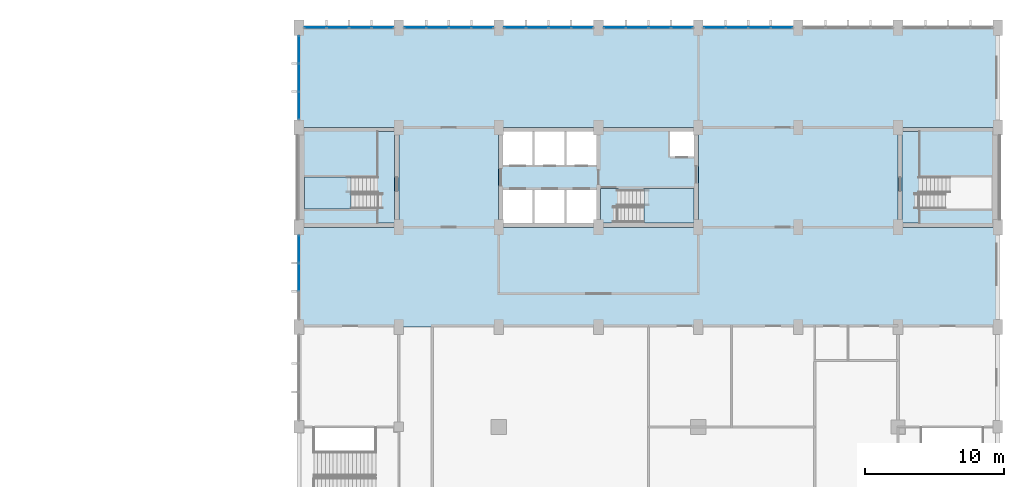
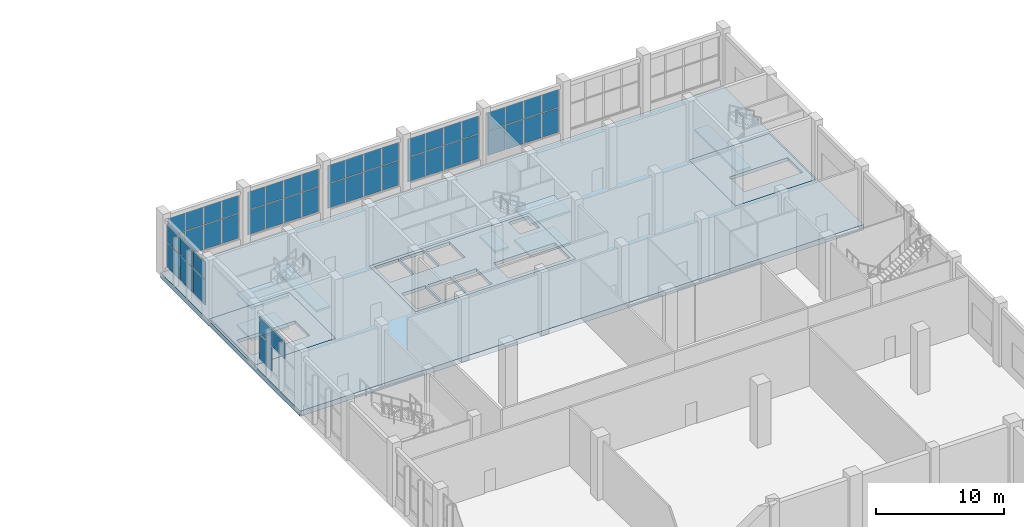
# One storey, part 24 of 44: 49 plates, 11 slabs, 10 elements without a shape of their own.
"""IFC4 building model written with IfcOpenShell, lengths in metres."""

from ifc_helpers import new_model, si_unit, direction, frame, origin, origin_2d, place, context, subcontext, project, spatial, polyline, rectangle, outline, extrude, material, layer, layer_set, type_object, element, aggregate, save


model = new_model("IFC4")

# Units and contexts
model_context = context("Model", 3, precision=1e-05, world=origin(), true_north=direction((0.0, 1.0)))
body_context = subcontext(model_context, "Body", "Model", "MODEL_VIEW")
ifc_project = project(units=[si_unit("LENGTHUNIT", "METRE"), si_unit("AREAUNIT", "SQUARE_METRE"), si_unit("VOLUMEUNIT", "CUBIC_METRE"), si_unit("PLANEANGLEUNIT", "RADIAN"), si_unit("MASSUNIT", "GRAM", prefix="KILO")], contexts=[model_context])

# Site, building, storey
site_placement = place(None, origin())
site = spatial("IfcSite", under=ifc_project, at=site_placement, CompositionType="ELEMENT")
building_placement = place(site_placement, origin())
building = spatial("IfcBuilding", under=site, at=building_placement, Name="Vermilion Court Aquatics Centre", CompositionType="ELEMENT")
storey_placement = place(building_placement, frame((0.0, 0.0, 6.0)))
storey = spatial("IfcBuildingStorey", under=building, at=storey_placement, Name="L01", CompositionType="ELEMENT", Elevation=6.0)

# Slabs
ifc_material_1 = material(Name="Concrete 5000 psi", Category="concrete")
ifc_layer_1 = layer(ifc_material_1, 0.300048828125)
ifc_layer_set_1 = layer_set([ifc_layer_1], Name="North block flat plate 300")
slab_type_1 = type_object("IfcSlabType", Name="North block flat plate 300", PredefinedType="FLOOR", material=ifc_layer_set_1)
slab_1_placement = place(storey_placement, frame((0.0, 0.0, -0.300048828125)))
element("IfcSlab", 1, at=slab_1_placement, inside=storey, type_object=slab_type_1, Name="Core floor L01", PredefinedType="FLOOR", context=body_context, shape_type="SweptSolid", body=[
    extrude(outline(polyline([(158.39990234375, 100.800048828125), (172.800048828125, 100.800048828125), (172.800048828125, 108.0), (158.39990234375, 108.0), (158.39990234375, 100.800048828125)]), holes=[polyline([(158.699951171875, 101.10009765625), (160.85009765625, 101.10009765625), (160.85009765625, 103.5), (158.699951171875, 103.5), (158.699951171875, 101.10009765625)]), polyline([(158.699951171875, 105.300048828125), (160.85009765625, 105.300048828125), (160.85009765625, 107.699951171875), (158.699951171875, 107.699951171875), (158.699951171875, 105.300048828125)]), polyline([(161.0, 101.10009765625), (163.14990234375, 101.10009765625), (163.14990234375, 103.5), (161.0, 103.5), (161.0, 101.10009765625)]), polyline([(161.0, 105.300048828125), (163.14990234375, 105.300048828125), (163.14990234375, 107.699951171875), (161.0, 107.699951171875), (161.0, 105.300048828125)]), polyline([(163.300048828125, 101.10009765625), (165.449951171875, 101.10009765625), (165.449951171875, 103.5), (163.300048828125, 103.5), (163.300048828125, 101.10009765625)]), polyline([(163.300048828125, 105.300048828125), (165.449951171875, 105.300048828125), (165.449951171875, 107.699951171875), (163.300048828125, 107.699951171875), (163.300048828125, 105.300048828125)]), polyline([(167.0, 101.14990234375), (172.5, 101.14990234375), (172.5, 103.5), (167.0, 103.5), (167.0, 101.14990234375)]), polyline([(170.75, 105.89990234375), (172.5, 105.89990234375), (172.5, 107.699951171875), (170.75, 107.699951171875), (170.75, 105.89990234375)])]), origin(), (0.0, 0.0, 1.0), 0.300048828125),
])
slab_2_placement = place(storey_placement, frame((0.0, 0.0, -0.300048828125)))
element("IfcSlab", 2, at=slab_2_placement, inside=storey, type_object=slab_type_1, Name="Stair 1 floor L01", PredefinedType="FLOOR", context=body_context, shape_type="SweptSolid", body=[
    extrude(outline(polyline([(144.0, 100.800048828125), (151.199951171875, 100.800048828125), (151.199951171875, 108.0), (144.0, 108.0), (144.0, 100.800048828125)]), holes=[polyline([(144.39990234375, 102.1298828125), (149.64990234375, 102.1298828125), (149.64990234375, 104.429931640625), (144.39990234375, 104.429931640625), (144.39990234375, 102.1298828125)])]), origin(), (0.0, 0.0, 1.0), 0.300048828125),
])
slab_3_placement = place(storey_placement, frame((0.0, 0.0, -0.300048828125)))
element("IfcSlab", 3, at=slab_3_placement, inside=storey, type_object=slab_type_1, Name="Stair 2 floor L01", PredefinedType="FLOOR", context=body_context, shape_type="SweptSolid", body=[
    extrude(outline(polyline([(187.199951171875, 100.800048828125), (194.39990234375, 100.800048828125), (194.39990234375, 108.0), (187.199951171875, 108.0), (187.199951171875, 100.800048828125)]), holes=[polyline([(188.75, 102.1298828125), (194.0, 102.1298828125), (194.0, 104.429931640625), (188.75, 104.429931640625), (188.75, 102.1298828125)])]), origin(), (0.0, 0.0, 1.0), 0.300048828125),
])

# Stair, slabs
ifc_material_2 = material(Name="Concrete 5000 psi", Category="concrete")
stair_type = type_object("IfcStairType", Name="North block exit stair 1130", PredefinedType="HALF_TURN_STAIR", material=ifc_material_2)
stair_1_placement = place(storey_placement, origin())
stair_1 = element("IfcStair", 4, at=stair_1_placement, inside=storey, type_object=stair_type, Name="Exit stair ST-T1 L01", PredefinedType="HALF_TURN_STAIR")
ifc_material_3 = material(Name="Concrete 5000 psi", Category="concrete")
ifc_layer_2 = layer(ifc_material_3, 0.199951171875)
ifc_layer_set_2 = layer_set([ifc_layer_2], Name="North block stair landing 200")
slab_type_2 = type_object("IfcSlabType", Name="North block stair landing 200", PredefinedType="LANDING", material=ifc_layer_set_2)
slab_4_placement = place(storey_placement, frame((0.0, 0.0, 1.300048828125)))
slab_4 = element("IfcSlab", 5, at=slab_4_placement, type_object=slab_type_2, Name="ST-T1 landing 1", PredefinedType="LANDING", context=body_context, shape_type="SweptSolid", body=[
    extrude(outline(polyline([(144.39990234375, 102.1298828125), (147.760009765625, 102.1298828125), (147.760009765625, 104.429931640625), (144.39990234375, 104.429931640625), (144.39990234375, 102.1298828125)])), origin(), (0.0, 0.0, 1.0), 0.199951171875),
])
slab_5_placement = place(storey_placement, frame((0.0, 0.0, 2.800048828125)))
slab_5 = element("IfcSlab", 6, at=slab_5_placement, type_object=slab_type_2, Name="ST-T1 landing 2", PredefinedType="LANDING", context=body_context, shape_type="SweptSolid", body=[
    extrude(outline(polyline([(149.64990234375, 101.10009765625), (150.89990234375, 101.10009765625), (150.89990234375, 107.699951171875), (149.64990234375, 107.699951171875), (149.64990234375, 101.10009765625)])), origin(), (0.0, 0.0, 1.0), 0.199951171875),
])
slab_6_placement = place(storey_placement, frame((0.0, 0.0, 4.300048828125)))
slab_6 = element("IfcSlab", 7, at=slab_6_placement, type_object=slab_type_2, Name="ST-T1 landing 3", PredefinedType="LANDING", context=body_context, shape_type="SweptSolid", body=[
    extrude(outline(polyline([(144.39990234375, 102.1298828125), (147.760009765625, 102.1298828125), (147.760009765625, 104.429931640625), (144.39990234375, 104.429931640625), (144.39990234375, 102.1298828125)])), origin(), (0.0, 0.0, 1.0), 0.199951171875),
])
aggregate(stair_1, [slab_4, slab_5, slab_6])

# Stair, slab
stair_2_placement = place(storey_placement, origin())
stair_2 = element("IfcStair", 8, at=stair_2_placement, inside=storey, type_object=stair_type, Name="Exit stair ST-T2 L01", PredefinedType="HALF_TURN_STAIR")
slab_7_placement = place(storey_placement, frame((0.0, 0.0, 2.800048828125)))
slab_7 = element("IfcSlab", 9, at=slab_7_placement, type_object=slab_type_2, Name="ST-T2 landing 2", PredefinedType="LANDING", context=body_context, shape_type="SweptSolid", body=[
    extrude(outline(polyline([(187.5, 101.10009765625), (188.75, 101.10009765625), (188.75, 107.699951171875), (187.5, 107.699951171875), (187.5, 101.10009765625)])), origin(), (0.0, 0.0, 1.0), 0.199951171875),
])
aggregate(stair_2, [slab_7])

# Stair, slabs
stair_3_placement = place(storey_placement, origin())
stair_3 = element("IfcStair", 10, at=stair_3_placement, inside=storey, type_object=stair_type, Name="Exit stair ST-T3 L01", PredefinedType="HALF_TURN_STAIR")
slab_8_placement = place(storey_placement, frame((0.0, 0.0, 1.300048828125)))
slab_8 = element("IfcSlab", 11, at=slab_8_placement, type_object=slab_type_2, Name="ST-T3 landing 1", PredefinedType="LANDING", context=body_context, shape_type="SweptSolid", body=[
    extrude(outline(polyline([(168.889892578125, 101.10009765625), (172.5, 101.10009765625), (172.5, 103.60009765625), (168.889892578125, 103.60009765625), (168.889892578125, 101.10009765625)])), origin(), (0.0, 0.0, 1.0), 0.199951171875),
])
slab_9_placement = place(storey_placement, frame((0.0, 0.0, 2.800048828125)))
slab_9 = element("IfcSlab", 12, at=slab_9_placement, type_object=slab_type_2, Name="ST-T3 landing 2", PredefinedType="LANDING", context=body_context, shape_type="SweptSolid", body=[
    extrude(outline(polyline([(165.75, 101.10009765625), (167.0, 101.10009765625), (167.0, 103.60009765625), (165.75, 103.60009765625), (165.75, 101.10009765625)])), origin(), (0.0, 0.0, 1.0), 0.199951171875),
])
slab_10_placement = place(storey_placement, frame((0.0, 0.0, 4.300048828125)))
slab_10 = element("IfcSlab", 13, at=slab_10_placement, type_object=slab_type_2, Name="ST-T3 landing 3", PredefinedType="LANDING", context=body_context, shape_type="SweptSolid", body=[
    extrude(outline(polyline([(168.889892578125, 101.10009765625), (172.5, 101.10009765625), (172.5, 103.60009765625), (168.889892578125, 103.60009765625), (168.889892578125, 101.10009765625)])), origin(), (0.0, 0.0, 1.0), 0.199951171875),
])
aggregate(stair_3, [slab_8, slab_9, slab_10])

# Curtain wall, plates
ifc_material_4 = material(Name="Aluminium 6063-T5", Category="aluminium")
ifc_layer_3 = layer(ifc_material_4, 0.14990234375)
ifc_layer_set_3 = layer_set([ifc_layer_3], Name="Podium curtain wall bay, 1800 module")
curtain_wall_type = type_object("IfcCurtainWallType", Name="Podium curtain wall bay, 1800 module", PredefinedType="NOTDEFINED", material=ifc_layer_set_3)
curtain_wall_1_placement = place(storey_placement, origin())
curtain_wall_1 = element("IfcCurtainWall", 14, at=curtain_wall_1_placement, inside=storey, type_object=curtain_wall_type, Name="Curtain wall L01", PredefinedType="NOTDEFINED")
ifc_material_5 = material(Name="Glazing", Category="glass")
ifc_layer_4 = layer(ifc_material_5, 0.028076171875)
ifc_layer_set_4 = layer_set([ifc_layer_4], Name="Podium curtain wall glass panel 28")
plate_type = type_object("IfcPlateType", Name="Podium curtain wall glass panel 28", PredefinedType="CURTAIN_PANEL", material=ifc_layer_set_4)
plate_1_placement = place(storey_placement, frame((145.177490234375, 115.199951171875, 0.9599609375), z_axis=(0.0, 0.0, 1.0), x_axis=(1.0, 0.0, 0.0)))
plate_1 = element("IfcPlate", 15, at=plate_1_placement, type_object=plate_type, Name="PG2 panel 1.1", PredefinedType="CURTAIN_PANEL", context=body_context, shape_type="SweptSolid", body=[
    extrude(rectangle(XDim=1.534912109375, YDim=0.028076171875, at=origin_2d()), origin(), (0.0, 0.0, 1.0), 2.31005859375),
])
plate_2_placement = place(storey_placement, frame((145.177490234375, 115.199951171875, 3.330078125), z_axis=(0.0, 0.0, 1.0), x_axis=(1.0, 0.0, 0.0)))
plate_2 = element("IfcPlate", 16, at=plate_2_placement, type_object=plate_type, Name="PG2 panel 1.2", PredefinedType="CURTAIN_PANEL", context=body_context, shape_type="SweptSolid", body=[
    extrude(rectangle(XDim=1.534912109375, YDim=0.028076171875, at=origin_2d()), origin(), (0.0, 0.0, 1.0), 1.7099609375),
])
plate_3_placement = place(storey_placement, frame((146.78759765625, 115.199951171875, 0.9599609375), z_axis=(0.0, 0.0, 1.0), x_axis=(1.0, 0.0, 0.0)))
plate_3 = element("IfcPlate", 17, at=plate_3_placement, type_object=plate_type, Name="PG2 panel 2.1", PredefinedType="CURTAIN_PANEL", context=body_context, shape_type="SweptSolid", body=[
    extrude(rectangle(XDim=1.56494140625, YDim=0.028076171875, at=origin_2d()), origin(), (0.0, 0.0, 1.0), 2.31005859375),
])
plate_4_placement = place(storey_placement, frame((146.78759765625, 115.199951171875, 3.330078125), z_axis=(0.0, 0.0, 1.0), x_axis=(1.0, 0.0, 0.0)))
plate_4 = element("IfcPlate", 18, at=plate_4_placement, type_object=plate_type, Name="PG2 panel 2.2", PredefinedType="CURTAIN_PANEL", context=body_context, shape_type="SweptSolid", body=[
    extrude(rectangle(XDim=1.56494140625, YDim=0.028076171875, at=origin_2d()), origin(), (0.0, 0.0, 1.0), 1.7099609375),
])
plate_5_placement = place(storey_placement, frame((148.41259765625, 115.199951171875, 0.9599609375), z_axis=(0.0, 0.0, 1.0), x_axis=(1.0, 0.0, 0.0)))
plate_5 = element("IfcPlate", 19, at=plate_5_placement, type_object=plate_type, Name="PG2 panel 3.1", PredefinedType="CURTAIN_PANEL", context=body_context, shape_type="SweptSolid", body=[
    extrude(rectangle(XDim=1.56494140625, YDim=0.028076171875, at=origin_2d()), origin(), (0.0, 0.0, 1.0), 2.31005859375),
])
plate_6_placement = place(storey_placement, frame((148.41259765625, 115.199951171875, 3.330078125), z_axis=(0.0, 0.0, 1.0), x_axis=(1.0, 0.0, 0.0)))
plate_6 = element("IfcPlate", 20, at=plate_6_placement, type_object=plate_type, Name="PG2 panel 3.2", PredefinedType="CURTAIN_PANEL", context=body_context, shape_type="SweptSolid", body=[
    extrude(rectangle(XDim=1.56494140625, YDim=0.028076171875, at=origin_2d()), origin(), (0.0, 0.0, 1.0), 1.7099609375),
])
plate_7_placement = place(storey_placement, frame((150.0224609375, 115.199951171875, 0.9599609375), z_axis=(0.0, 0.0, 1.0), x_axis=(1.0, 0.0, 0.0)))
plate_7 = element("IfcPlate", 21, at=plate_7_placement, type_object=plate_type, Name="PG2 panel 4.1", PredefinedType="CURTAIN_PANEL", context=body_context, shape_type="SweptSolid", body=[
    extrude(rectangle(XDim=1.534912109375, YDim=0.028076171875, at=origin_2d()), origin(), (0.0, 0.0, 1.0), 2.31005859375),
])
plate_8_placement = place(storey_placement, frame((150.0224609375, 115.199951171875, 3.330078125), z_axis=(0.0, 0.0, 1.0), x_axis=(1.0, 0.0, 0.0)))
plate_8 = element("IfcPlate", 22, at=plate_8_placement, type_object=plate_type, Name="PG2 panel 4.2", PredefinedType="CURTAIN_PANEL", context=body_context, shape_type="SweptSolid", body=[
    extrude(rectangle(XDim=1.534912109375, YDim=0.028076171875, at=origin_2d()), origin(), (0.0, 0.0, 1.0), 1.7099609375),
])
aggregate(curtain_wall_1, [plate_1, plate_2, plate_3, plate_4, plate_5, plate_6, plate_7, plate_8])

curtain_wall_2_placement = place(storey_placement, origin())
curtain_wall_2 = element("IfcCurtainWall", 23, at=curtain_wall_2_placement, inside=storey, type_object=curtain_wall_type, Name="Curtain wall L01", PredefinedType="NOTDEFINED")
plate_9_placement = place(storey_placement, frame((152.37744140625, 115.199951171875, 0.9599609375), z_axis=(0.0, 0.0, 1.0), x_axis=(1.0, 0.0, 0.0)))
plate_9 = element("IfcPlate", 24, at=plate_9_placement, type_object=plate_type, Name="PG2 panel 1.1", PredefinedType="CURTAIN_PANEL", context=body_context, shape_type="SweptSolid", body=[
    extrude(rectangle(XDim=1.534912109375, YDim=0.028076171875, at=origin_2d()), origin(), (0.0, 0.0, 1.0), 2.31005859375),
])
plate_10_placement = place(storey_placement, frame((152.37744140625, 115.199951171875, 3.330078125), z_axis=(0.0, 0.0, 1.0), x_axis=(1.0, 0.0, 0.0)))
plate_10 = element("IfcPlate", 25, at=plate_10_placement, type_object=plate_type, Name="PG2 panel 1.2", PredefinedType="CURTAIN_PANEL", context=body_context, shape_type="SweptSolid", body=[
    extrude(rectangle(XDim=1.534912109375, YDim=0.028076171875, at=origin_2d()), origin(), (0.0, 0.0, 1.0), 1.7099609375),
])
plate_11_placement = place(storey_placement, frame((153.987548828125, 115.199951171875, 0.9599609375), z_axis=(0.0, 0.0, 1.0), x_axis=(1.0, 0.0, 0.0)))
plate_11 = element("IfcPlate", 26, at=plate_11_placement, type_object=plate_type, Name="PG2 panel 2.1", PredefinedType="CURTAIN_PANEL", context=body_context, shape_type="SweptSolid", body=[
    extrude(rectangle(XDim=1.56494140625, YDim=0.028076171875, at=origin_2d()), origin(), (0.0, 0.0, 1.0), 2.31005859375),
])
plate_12_placement = place(storey_placement, frame((153.987548828125, 115.199951171875, 3.330078125), z_axis=(0.0, 0.0, 1.0), x_axis=(1.0, 0.0, 0.0)))
plate_12 = element("IfcPlate", 27, at=plate_12_placement, type_object=plate_type, Name="PG2 panel 2.2", PredefinedType="CURTAIN_PANEL", context=body_context, shape_type="SweptSolid", body=[
    extrude(rectangle(XDim=1.56494140625, YDim=0.028076171875, at=origin_2d()), origin(), (0.0, 0.0, 1.0), 1.7099609375),
])
plate_13_placement = place(storey_placement, frame((155.612548828125, 115.199951171875, 0.9599609375), z_axis=(0.0, 0.0, 1.0), x_axis=(1.0, 0.0, 0.0)))
plate_13 = element("IfcPlate", 28, at=plate_13_placement, type_object=plate_type, Name="PG2 panel 3.1", PredefinedType="CURTAIN_PANEL", context=body_context, shape_type="SweptSolid", body=[
    extrude(rectangle(XDim=1.56494140625, YDim=0.028076171875, at=origin_2d()), origin(), (0.0, 0.0, 1.0), 2.31005859375),
])
plate_14_placement = place(storey_placement, frame((155.612548828125, 115.199951171875, 3.330078125), z_axis=(0.0, 0.0, 1.0), x_axis=(1.0, 0.0, 0.0)))
plate_14 = element("IfcPlate", 29, at=plate_14_placement, type_object=plate_type, Name="PG2 panel 3.2", PredefinedType="CURTAIN_PANEL", context=body_context, shape_type="SweptSolid", body=[
    extrude(rectangle(XDim=1.56494140625, YDim=0.028076171875, at=origin_2d()), origin(), (0.0, 0.0, 1.0), 1.7099609375),
])
plate_15_placement = place(storey_placement, frame((157.222412109375, 115.199951171875, 0.9599609375), z_axis=(0.0, 0.0, 1.0), x_axis=(1.0, 0.0, 0.0)))
plate_15 = element("IfcPlate", 30, at=plate_15_placement, type_object=plate_type, Name="PG2 panel 4.1", PredefinedType="CURTAIN_PANEL", context=body_context, shape_type="SweptSolid", body=[
    extrude(rectangle(XDim=1.534912109375, YDim=0.028076171875, at=origin_2d()), origin(), (0.0, 0.0, 1.0), 2.31005859375),
])
plate_16_placement = place(storey_placement, frame((157.222412109375, 115.199951171875, 3.330078125), z_axis=(0.0, 0.0, 1.0), x_axis=(1.0, 0.0, 0.0)))
plate_16 = element("IfcPlate", 31, at=plate_16_placement, type_object=plate_type, Name="PG2 panel 4.2", PredefinedType="CURTAIN_PANEL", context=body_context, shape_type="SweptSolid", body=[
    extrude(rectangle(XDim=1.534912109375, YDim=0.028076171875, at=origin_2d()), origin(), (0.0, 0.0, 1.0), 1.7099609375),
])
aggregate(curtain_wall_2, [plate_9, plate_10, plate_11, plate_12, plate_13, plate_14, plate_15, plate_16])

curtain_wall_3_placement = place(storey_placement, origin())
curtain_wall_3 = element("IfcCurtainWall", 32, at=curtain_wall_3_placement, inside=storey, type_object=curtain_wall_type, Name="Curtain wall L01", PredefinedType="NOTDEFINED")
plate_17_placement = place(storey_placement, frame((159.577392578125, 115.199951171875, 0.9599609375), z_axis=(0.0, 0.0, 1.0), x_axis=(1.0, 0.0, 0.0)))
plate_17 = element("IfcPlate", 33, at=plate_17_placement, type_object=plate_type, Name="PG2 panel 1.1", PredefinedType="CURTAIN_PANEL", context=body_context, shape_type="SweptSolid", body=[
    extrude(rectangle(XDim=1.534912109375, YDim=0.028076171875, at=origin_2d()), origin(), (0.0, 0.0, 1.0), 2.31005859375),
])
plate_18_placement = place(storey_placement, frame((159.577392578125, 115.199951171875, 3.330078125), z_axis=(0.0, 0.0, 1.0), x_axis=(1.0, 0.0, 0.0)))
plate_18 = element("IfcPlate", 34, at=plate_18_placement, type_object=plate_type, Name="PG2 panel 1.2", PredefinedType="CURTAIN_PANEL", context=body_context, shape_type="SweptSolid", body=[
    extrude(rectangle(XDim=1.534912109375, YDim=0.028076171875, at=origin_2d()), origin(), (0.0, 0.0, 1.0), 1.7099609375),
])
plate_19_placement = place(storey_placement, frame((161.1875, 115.199951171875, 0.9599609375), z_axis=(0.0, 0.0, 1.0), x_axis=(1.0, 0.0, 0.0)))
plate_19 = element("IfcPlate", 35, at=plate_19_placement, type_object=plate_type, Name="PG2 panel 2.1", PredefinedType="CURTAIN_PANEL", context=body_context, shape_type="SweptSolid", body=[
    extrude(rectangle(XDim=1.56494140625, YDim=0.028076171875, at=origin_2d()), origin(), (0.0, 0.0, 1.0), 2.31005859375),
])
plate_20_placement = place(storey_placement, frame((161.1875, 115.199951171875, 3.330078125), z_axis=(0.0, 0.0, 1.0), x_axis=(1.0, 0.0, 0.0)))
plate_20 = element("IfcPlate", 36, at=plate_20_placement, type_object=plate_type, Name="PG2 panel 2.2", PredefinedType="CURTAIN_PANEL", context=body_context, shape_type="SweptSolid", body=[
    extrude(rectangle(XDim=1.56494140625, YDim=0.028076171875, at=origin_2d()), origin(), (0.0, 0.0, 1.0), 1.7099609375),
])
plate_21_placement = place(storey_placement, frame((162.8125, 115.199951171875, 0.9599609375), z_axis=(0.0, 0.0, 1.0), x_axis=(1.0, 0.0, 0.0)))
plate_21 = element("IfcPlate", 37, at=plate_21_placement, type_object=plate_type, Name="PG2 panel 3.1", PredefinedType="CURTAIN_PANEL", context=body_context, shape_type="SweptSolid", body=[
    extrude(rectangle(XDim=1.56494140625, YDim=0.028076171875, at=origin_2d()), origin(), (0.0, 0.0, 1.0), 2.31005859375),
])
plate_22_placement = place(storey_placement, frame((162.8125, 115.199951171875, 3.330078125), z_axis=(0.0, 0.0, 1.0), x_axis=(1.0, 0.0, 0.0)))
plate_22 = element("IfcPlate", 38, at=plate_22_placement, type_object=plate_type, Name="PG2 panel 3.2", PredefinedType="CURTAIN_PANEL", context=body_context, shape_type="SweptSolid", body=[
    extrude(rectangle(XDim=1.56494140625, YDim=0.028076171875, at=origin_2d()), origin(), (0.0, 0.0, 1.0), 1.7099609375),
])
plate_23_placement = place(storey_placement, frame((164.422607421875, 115.199951171875, 0.9599609375), z_axis=(0.0, 0.0, 1.0), x_axis=(1.0, 0.0, 0.0)))
plate_23 = element("IfcPlate", 39, at=plate_23_placement, type_object=plate_type, Name="PG2 panel 4.1", PredefinedType="CURTAIN_PANEL", context=body_context, shape_type="SweptSolid", body=[
    extrude(rectangle(XDim=1.534912109375, YDim=0.028076171875, at=origin_2d()), origin(), (0.0, 0.0, 1.0), 2.31005859375),
])
plate_24_placement = place(storey_placement, frame((164.422607421875, 115.199951171875, 3.330078125), z_axis=(0.0, 0.0, 1.0), x_axis=(1.0, 0.0, 0.0)))
plate_24 = element("IfcPlate", 40, at=plate_24_placement, type_object=plate_type, Name="PG2 panel 4.2", PredefinedType="CURTAIN_PANEL", context=body_context, shape_type="SweptSolid", body=[
    extrude(rectangle(XDim=1.534912109375, YDim=0.028076171875, at=origin_2d()), origin(), (0.0, 0.0, 1.0), 1.7099609375),
])
aggregate(curtain_wall_3, [plate_17, plate_18, plate_19, plate_20, plate_21, plate_22, plate_23, plate_24])

curtain_wall_4_placement = place(storey_placement, origin())
curtain_wall_4 = element("IfcCurtainWall", 41, at=curtain_wall_4_placement, inside=storey, type_object=curtain_wall_type, Name="Curtain wall L01", PredefinedType="NOTDEFINED")
plate_25_placement = place(storey_placement, frame((166.777587890625, 115.199951171875, 0.9599609375), z_axis=(0.0, 0.0, 1.0), x_axis=(1.0, 0.0, 0.0)))
plate_25 = element("IfcPlate", 42, at=plate_25_placement, type_object=plate_type, Name="PG2 panel 1.1", PredefinedType="CURTAIN_PANEL", context=body_context, shape_type="SweptSolid", body=[
    extrude(rectangle(XDim=1.534912109375, YDim=0.028076171875, at=origin_2d()), origin(), (0.0, 0.0, 1.0), 2.31005859375),
])
plate_26_placement = place(storey_placement, frame((166.777587890625, 115.199951171875, 3.330078125), z_axis=(0.0, 0.0, 1.0), x_axis=(1.0, 0.0, 0.0)))
plate_26 = element("IfcPlate", 43, at=plate_26_placement, type_object=plate_type, Name="PG2 panel 1.2", PredefinedType="CURTAIN_PANEL", context=body_context, shape_type="SweptSolid", body=[
    extrude(rectangle(XDim=1.534912109375, YDim=0.028076171875, at=origin_2d()), origin(), (0.0, 0.0, 1.0), 1.7099609375),
])
plate_27_placement = place(storey_placement, frame((168.387451171875, 115.199951171875, 0.9599609375), z_axis=(0.0, 0.0, 1.0), x_axis=(1.0, 0.0, 0.0)))
plate_27 = element("IfcPlate", 44, at=plate_27_placement, type_object=plate_type, Name="PG2 panel 2.1", PredefinedType="CURTAIN_PANEL", context=body_context, shape_type="SweptSolid", body=[
    extrude(rectangle(XDim=1.56494140625, YDim=0.028076171875, at=origin_2d()), origin(), (0.0, 0.0, 1.0), 2.31005859375),
])
plate_28_placement = place(storey_placement, frame((168.387451171875, 115.199951171875, 3.330078125), z_axis=(0.0, 0.0, 1.0), x_axis=(1.0, 0.0, 0.0)))
plate_28 = element("IfcPlate", 45, at=plate_28_placement, type_object=plate_type, Name="PG2 panel 2.2", PredefinedType="CURTAIN_PANEL", context=body_context, shape_type="SweptSolid", body=[
    extrude(rectangle(XDim=1.56494140625, YDim=0.028076171875, at=origin_2d()), origin(), (0.0, 0.0, 1.0), 1.7099609375),
])
plate_29_placement = place(storey_placement, frame((170.012451171875, 115.199951171875, 0.9599609375), z_axis=(0.0, 0.0, 1.0), x_axis=(1.0, 0.0, 0.0)))
plate_29 = element("IfcPlate", 46, at=plate_29_placement, type_object=plate_type, Name="PG2 panel 3.1", PredefinedType="CURTAIN_PANEL", context=body_context, shape_type="SweptSolid", body=[
    extrude(rectangle(XDim=1.56494140625, YDim=0.028076171875, at=origin_2d()), origin(), (0.0, 0.0, 1.0), 2.31005859375),
])
plate_30_placement = place(storey_placement, frame((170.012451171875, 115.199951171875, 3.330078125), z_axis=(0.0, 0.0, 1.0), x_axis=(1.0, 0.0, 0.0)))
plate_30 = element("IfcPlate", 47, at=plate_30_placement, type_object=plate_type, Name="PG2 panel 3.2", PredefinedType="CURTAIN_PANEL", context=body_context, shape_type="SweptSolid", body=[
    extrude(rectangle(XDim=1.56494140625, YDim=0.028076171875, at=origin_2d()), origin(), (0.0, 0.0, 1.0), 1.7099609375),
])
plate_31_placement = place(storey_placement, frame((171.62255859375, 115.199951171875, 0.9599609375), z_axis=(0.0, 0.0, 1.0), x_axis=(1.0, 0.0, 0.0)))
plate_31 = element("IfcPlate", 48, at=plate_31_placement, type_object=plate_type, Name="PG2 panel 4.1", PredefinedType="CURTAIN_PANEL", context=body_context, shape_type="SweptSolid", body=[
    extrude(rectangle(XDim=1.534912109375, YDim=0.028076171875, at=origin_2d()), origin(), (0.0, 0.0, 1.0), 2.31005859375),
])
plate_32_placement = place(storey_placement, frame((171.62255859375, 115.199951171875, 3.330078125), z_axis=(0.0, 0.0, 1.0), x_axis=(1.0, 0.0, 0.0)))
plate_32 = element("IfcPlate", 49, at=plate_32_placement, type_object=plate_type, Name="PG2 panel 4.2", PredefinedType="CURTAIN_PANEL", context=body_context, shape_type="SweptSolid", body=[
    extrude(rectangle(XDim=1.534912109375, YDim=0.028076171875, at=origin_2d()), origin(), (0.0, 0.0, 1.0), 1.7099609375),
])
aggregate(curtain_wall_4, [plate_25, plate_26, plate_27, plate_28, plate_29, plate_30, plate_31, plate_32])

curtain_wall_5_placement = place(storey_placement, origin())
curtain_wall_5 = element("IfcCurtainWall", 50, at=curtain_wall_5_placement, inside=storey, type_object=curtain_wall_type, Name="Curtain wall L01", PredefinedType="NOTDEFINED")
plate_33_placement = place(storey_placement, frame((173.9775390625, 115.199951171875, 0.9599609375), z_axis=(0.0, 0.0, 1.0), x_axis=(1.0, 0.0, 0.0)))
plate_33 = element("IfcPlate", 51, at=plate_33_placement, type_object=plate_type, Name="PG2 panel 1.1", PredefinedType="CURTAIN_PANEL", context=body_context, shape_type="SweptSolid", body=[
    extrude(rectangle(XDim=1.534912109375, YDim=0.028076171875, at=origin_2d()), origin(), (0.0, 0.0, 1.0), 2.31005859375),
])
plate_34_placement = place(storey_placement, frame((173.9775390625, 115.199951171875, 3.330078125), z_axis=(0.0, 0.0, 1.0), x_axis=(1.0, 0.0, 0.0)))
plate_34 = element("IfcPlate", 52, at=plate_34_placement, type_object=plate_type, Name="PG2 panel 1.2", PredefinedType="CURTAIN_PANEL", context=body_context, shape_type="SweptSolid", body=[
    extrude(rectangle(XDim=1.534912109375, YDim=0.028076171875, at=origin_2d()), origin(), (0.0, 0.0, 1.0), 1.7099609375),
])
plate_35_placement = place(storey_placement, frame((175.58740234375, 115.199951171875, 0.9599609375), z_axis=(0.0, 0.0, 1.0), x_axis=(1.0, 0.0, 0.0)))
plate_35 = element("IfcPlate", 53, at=plate_35_placement, type_object=plate_type, Name="PG2 panel 2.1", PredefinedType="CURTAIN_PANEL", context=body_context, shape_type="SweptSolid", body=[
    extrude(rectangle(XDim=1.56494140625, YDim=0.028076171875, at=origin_2d()), origin(), (0.0, 0.0, 1.0), 2.31005859375),
])
plate_36_placement = place(storey_placement, frame((175.58740234375, 115.199951171875, 3.330078125), z_axis=(0.0, 0.0, 1.0), x_axis=(1.0, 0.0, 0.0)))
plate_36 = element("IfcPlate", 54, at=plate_36_placement, type_object=plate_type, Name="PG2 panel 2.2", PredefinedType="CURTAIN_PANEL", context=body_context, shape_type="SweptSolid", body=[
    extrude(rectangle(XDim=1.56494140625, YDim=0.028076171875, at=origin_2d()), origin(), (0.0, 0.0, 1.0), 1.7099609375),
])
plate_37_placement = place(storey_placement, frame((177.21240234375, 115.199951171875, 0.9599609375), z_axis=(0.0, 0.0, 1.0), x_axis=(1.0, 0.0, 0.0)))
plate_37 = element("IfcPlate", 55, at=plate_37_placement, type_object=plate_type, Name="PG2 panel 3.1", PredefinedType="CURTAIN_PANEL", context=body_context, shape_type="SweptSolid", body=[
    extrude(rectangle(XDim=1.56494140625, YDim=0.028076171875, at=origin_2d()), origin(), (0.0, 0.0, 1.0), 2.31005859375),
])
plate_38_placement = place(storey_placement, frame((177.21240234375, 115.199951171875, 3.330078125), z_axis=(0.0, 0.0, 1.0), x_axis=(1.0, 0.0, 0.0)))
plate_38 = element("IfcPlate", 56, at=plate_38_placement, type_object=plate_type, Name="PG2 panel 3.2", PredefinedType="CURTAIN_PANEL", context=body_context, shape_type="SweptSolid", body=[
    extrude(rectangle(XDim=1.56494140625, YDim=0.028076171875, at=origin_2d()), origin(), (0.0, 0.0, 1.0), 1.7099609375),
])
plate_39_placement = place(storey_placement, frame((178.822509765625, 115.199951171875, 0.9599609375), z_axis=(0.0, 0.0, 1.0), x_axis=(1.0, 0.0, 0.0)))
plate_39 = element("IfcPlate", 57, at=plate_39_placement, type_object=plate_type, Name="PG2 panel 4.1", PredefinedType="CURTAIN_PANEL", context=body_context, shape_type="SweptSolid", body=[
    extrude(rectangle(XDim=1.534912109375, YDim=0.028076171875, at=origin_2d()), origin(), (0.0, 0.0, 1.0), 2.31005859375),
])
plate_40_placement = place(storey_placement, frame((178.822509765625, 115.199951171875, 3.330078125), z_axis=(0.0, 0.0, 1.0), x_axis=(1.0, 0.0, 0.0)))
plate_40 = element("IfcPlate", 58, at=plate_40_placement, type_object=plate_type, Name="PG2 panel 4.2", PredefinedType="CURTAIN_PANEL", context=body_context, shape_type="SweptSolid", body=[
    extrude(rectangle(XDim=1.534912109375, YDim=0.028076171875, at=origin_2d()), origin(), (0.0, 0.0, 1.0), 1.7099609375),
])
aggregate(curtain_wall_5, [plate_33, plate_34, plate_35, plate_36, plate_37, plate_38, plate_39, plate_40])

curtain_wall_6_placement = place(storey_placement, origin())
curtain_wall_6 = element("IfcCurtainWall", 59, at=curtain_wall_6_placement, inside=storey, type_object=curtain_wall_type, Name="Curtain wall L01", PredefinedType="NOTDEFINED")
plate_41_placement = place(storey_placement, frame((144.0, 97.199951171875, 3.330078125), z_axis=(0.0, 0.0, 1.0), x_axis=(0.0, 1.0, 0.0)))
plate_41 = element("IfcPlate", 60, at=plate_41_placement, type_object=plate_type, Name="PG2 panel 2.2", PredefinedType="CURTAIN_PANEL", context=body_context, shape_type="SweptSolid", body=[
    extrude(rectangle(XDim=1.973388671875, YDim=0.028076171875, at=origin_2d()), origin(), (0.0, 0.0, 1.0), 1.7099609375),
])
plate_42_placement = place(storey_placement, frame((144.0, 99.21826171875, 0.9599609375), z_axis=(0.0, 0.0, 1.0), x_axis=(0.0, 1.0, 0.0)))
plate_42 = element("IfcPlate", 61, at=plate_42_placement, type_object=plate_type, Name="PG2 panel 3.1", PredefinedType="CURTAIN_PANEL", context=body_context, shape_type="SweptSolid", body=[
    extrude(rectangle(XDim=1.943359375, YDim=0.028076171875, at=origin_2d()), origin(), (0.0, 0.0, 1.0), 2.31005859375),
])
plate_43_placement = place(storey_placement, frame((144.0, 99.21826171875, 3.330078125), z_axis=(0.0, 0.0, 1.0), x_axis=(0.0, 1.0, 0.0)))
plate_43 = element("IfcPlate", 62, at=plate_43_placement, type_object=plate_type, Name="PG2 panel 3.2", PredefinedType="CURTAIN_PANEL", context=body_context, shape_type="SweptSolid", body=[
    extrude(rectangle(XDim=1.943359375, YDim=0.028076171875, at=origin_2d()), origin(), (0.0, 0.0, 1.0), 1.7099609375),
])
aggregate(curtain_wall_6, [plate_41, plate_42, plate_43])

curtain_wall_7_placement = place(storey_placement, origin())
curtain_wall_7 = element("IfcCurtainWall", 63, at=curtain_wall_7_placement, inside=storey, type_object=curtain_wall_type, Name="Curtain wall L01", PredefinedType="NOTDEFINED")
plate_44_placement = place(storey_placement, frame((144.0, 109.581787109375, 0.9599609375), z_axis=(0.0, 0.0, 1.0), x_axis=(0.0, 1.0, 0.0)))
plate_44 = element("IfcPlate", 64, at=plate_44_placement, type_object=plate_type, Name="PG2 panel 1.1", PredefinedType="CURTAIN_PANEL", context=body_context, shape_type="SweptSolid", body=[
    extrude(rectangle(XDim=1.943359375, YDim=0.028076171875, at=origin_2d()), origin(), (0.0, 0.0, 1.0), 2.31005859375),
])
plate_45_placement = place(storey_placement, frame((144.0, 109.581787109375, 3.330078125), z_axis=(0.0, 0.0, 1.0), x_axis=(0.0, 1.0, 0.0)))
plate_45 = element("IfcPlate", 65, at=plate_45_placement, type_object=plate_type, Name="PG2 panel 1.2", PredefinedType="CURTAIN_PANEL", context=body_context, shape_type="SweptSolid", body=[
    extrude(rectangle(XDim=1.943359375, YDim=0.028076171875, at=origin_2d()), origin(), (0.0, 0.0, 1.0), 1.7099609375),
])
plate_46_placement = place(storey_placement, frame((144.0, 111.60009765625, 0.9599609375), z_axis=(0.0, 0.0, 1.0), x_axis=(0.0, 1.0, 0.0)))
plate_46 = element("IfcPlate", 66, at=plate_46_placement, type_object=plate_type, Name="PG2 panel 2.1", PredefinedType="CURTAIN_PANEL", context=body_context, shape_type="SweptSolid", body=[
    extrude(rectangle(XDim=1.973388671875, YDim=0.028076171875, at=origin_2d()), origin(), (0.0, 0.0, 1.0), 2.31005859375),
])
plate_47_placement = place(storey_placement, frame((144.0, 111.60009765625, 3.330078125), z_axis=(0.0, 0.0, 1.0), x_axis=(0.0, 1.0, 0.0)))
plate_47 = element("IfcPlate", 67, at=plate_47_placement, type_object=plate_type, Name="PG2 panel 2.2", PredefinedType="CURTAIN_PANEL", context=body_context, shape_type="SweptSolid", body=[
    extrude(rectangle(XDim=1.973388671875, YDim=0.028076171875, at=origin_2d()), origin(), (0.0, 0.0, 1.0), 1.7099609375),
])
plate_48_placement = place(storey_placement, frame((144.0, 113.618408203125, 0.9599609375), z_axis=(0.0, 0.0, 1.0), x_axis=(0.0, 1.0, 0.0)))
plate_48 = element("IfcPlate", 68, at=plate_48_placement, type_object=plate_type, Name="PG2 panel 3.1", PredefinedType="CURTAIN_PANEL", context=body_context, shape_type="SweptSolid", body=[
    extrude(rectangle(XDim=1.943359375, YDim=0.028076171875, at=origin_2d()), origin(), (0.0, 0.0, 1.0), 2.31005859375),
])
plate_49_placement = place(storey_placement, frame((144.0, 113.618408203125, 3.330078125), z_axis=(0.0, 0.0, 1.0), x_axis=(0.0, 1.0, 0.0)))
plate_49 = element("IfcPlate", 69, at=plate_49_placement, type_object=plate_type, Name="PG2 panel 3.2", PredefinedType="CURTAIN_PANEL", context=body_context, shape_type="SweptSolid", body=[
    extrude(rectangle(XDim=1.943359375, YDim=0.028076171875, at=origin_2d()), origin(), (0.0, 0.0, 1.0), 1.7099609375),
])
aggregate(curtain_wall_7, [plate_44, plate_45, plate_46, plate_47, plate_48, plate_49])

# Slab
ifc_material_6 = material(Name="Concrete 5000 psi", Category="concrete")
ifc_layer_5 = layer(ifc_material_6, 0.5)
ifc_layer_set_5 = layer_set([ifc_layer_5], Name="Podium floor plate 500")
slab_type_3 = type_object("IfcSlabType", Name="Podium floor plate 500", PredefinedType="FLOOR", material=ifc_layer_set_5)
slab_11_placement = place(storey_placement, frame((0.0, 0.0, -0.5)))
element("IfcSlab", 70, at=slab_11_placement, inside=storey, type_object=slab_type_3, Name="L01 floor slab, north block", PredefinedType="FLOOR", context=body_context, shape_type="SweptSolid", body=[
    extrude(outline(polyline([(194.550048828125, 115.35009765625), (194.550048828125, 93.60009765625), (143.85009765625, 93.60009765625), (143.85009765625, 115.35009765625), (194.550048828125, 115.35009765625)]), holes=[polyline([(144.0, 108.0), (144.0, 100.800048828125), (151.199951171875, 100.800048828125), (151.199951171875, 108.0), (144.0, 108.0)]), polyline([(158.39990234375, 108.0), (158.39990234375, 100.800048828125), (172.800048828125, 100.800048828125), (172.800048828125, 108.0), (158.39990234375, 108.0)]), polyline([(187.199951171875, 108.0), (187.199951171875, 100.800048828125), (194.39990234375, 100.800048828125), (194.39990234375, 108.0), (187.199951171875, 108.0)])]), origin(), (0.0, 0.0, 1.0), 0.5),
])

save(model, "model.ifc")
